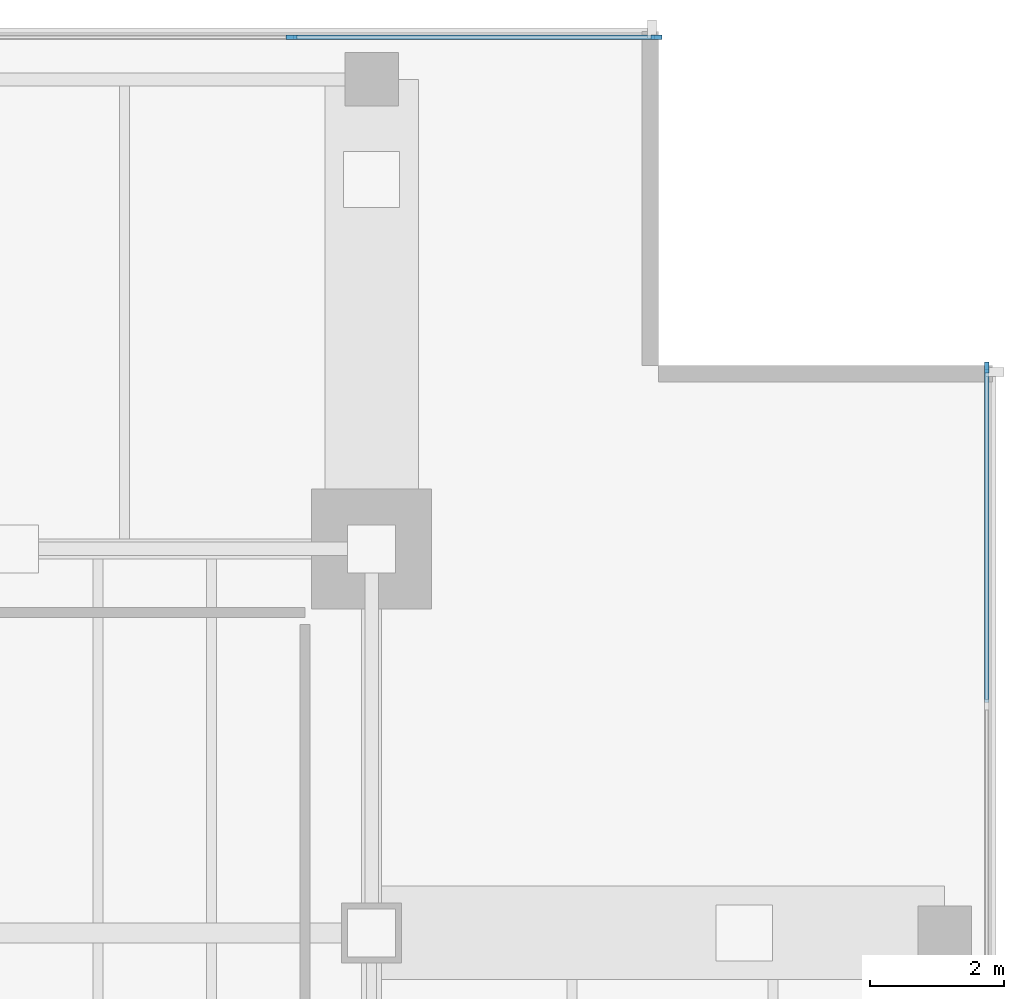
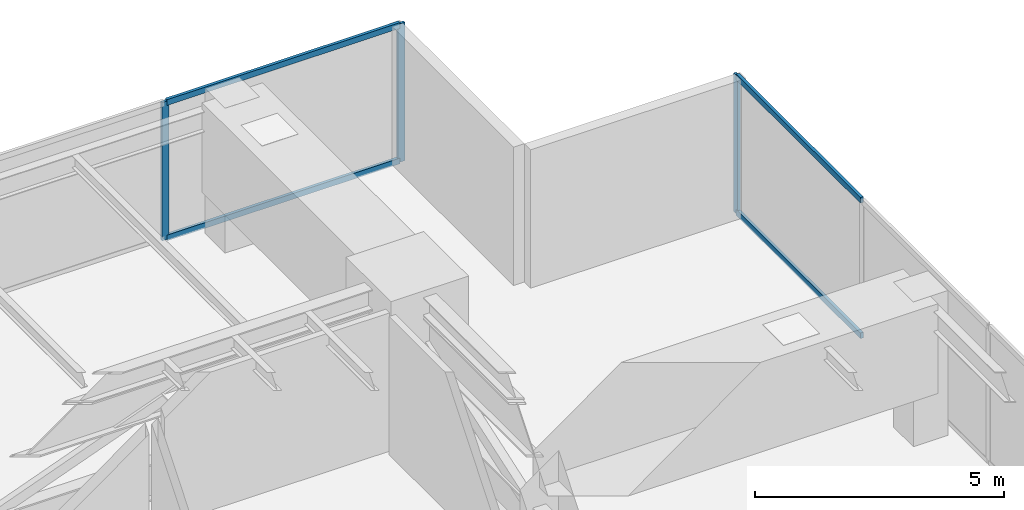
# One storey, part 6 of 13: 7 members, 2 elements without a shape of their own.
"""IFC4 building model written with IfcOpenShell, lengths in metres."""

from ifc_helpers import new_model, si_unit, direction, frame, origin, origin_2d, place, context, subcontext, project, spatial, rectangle, extrude, material, layer, layer_set, material_profile, profile_set, type_object, element, aggregate, save


model = new_model("IFC4")

# Units and contexts
model_context = context("Model", 3, precision=1e-05, world=origin(), true_north=direction((0.0, 1.0)))
body_context = subcontext(model_context, "Body", "Model", "MODEL_VIEW")
ifc_project = project(units=[si_unit("LENGTHUNIT", "METRE"), si_unit("AREAUNIT", "SQUARE_METRE"), si_unit("VOLUMEUNIT", "CUBIC_METRE"), si_unit("PLANEANGLEUNIT", "RADIAN"), si_unit("MASSUNIT", "GRAM", prefix="KILO")], contexts=[model_context])

# Site, building, storey
site_placement = place(None, origin())
site = spatial("IfcSite", under=ifc_project, at=site_placement, CompositionType="ELEMENT")
building_placement = place(site_placement, origin())
building = spatial("IfcBuilding", under=site, at=building_placement, Name="Kinhvarn Gate Tower", CompositionType="ELEMENT")
storey_placement = place(building_placement, frame((0.0, 0.0, 241.300048828125)))
storey = spatial("IfcBuildingStorey", under=building, at=storey_placement, Name="L64", CompositionType="ELEMENT", Elevation=241.300048828125)

# Curtain wall, members
ifc_material = material(Name="Anodised aluminium AW-6063", Category="aluminium")
ifc_layer = layer(ifc_material, 0.179931640625)
ifc_layer_set = layer_set([ifc_layer], Name="Anodised aluminium AW-6063")
curtain_wall_type = type_object("IfcCurtainWallType", Name="CW-SYS-3", PredefinedType="NOTDEFINED", material=ifc_layer_set)
curtain_wall_1_placement = place(storey_placement, origin())
curtain_wall_1 = element("IfcCurtainWall", 1, at=curtain_wall_1_placement, inside=storey, type_object=curtain_wall_type, Name="Curtain Wall CW3 (L64)", PredefinedType="NOTDEFINED")
ifc_material_profile_1 = material_profile(ifc_material, rectangle(XDim=0.06494140625, YDim=0.159912109375, at=origin_2d()), Name="ALU 65x160")
ifc_profile_set_1 = profile_set([ifc_material_profile_1], Name="Anodised aluminium AW-6063")
member_type_1 = type_object("IfcMemberType", Name="CW-MUL-160", PredefinedType="MULLION", material=ifc_profile_set_1)
member_1_placement = place(storey_placement, frame((42.467529296875, 45.409912109375, 0.0), z_axis=(0.0, 0.0, 1.0), x_axis=(0.0, -1.0, 0.0)))
member_1 = element("IfcMember", 2, at=member_1_placement, type_object=member_type_1, Name="CW3 mullion 1", PredefinedType="MULLION", context=body_context, shape_type="SweptSolid", body=[
    extrude(rectangle(XDim=0.06494140625, YDim=0.159912109375, at=origin_2d()), origin(), (0.0, 0.0, 1.0), 3.389892578125),
])
member_2_placement = place(storey_placement, frame((37.0, 45.409912109375, 0.0), z_axis=(0.0, 0.0, 1.0), x_axis=(0.0, -1.0, 0.0)))
member_2 = element("IfcMember", 3, at=member_2_placement, type_object=member_type_1, Name="CW3 mullion 2", PredefinedType="MULLION", context=body_context, shape_type="SweptSolid", body=[
    extrude(rectangle(XDim=0.06494140625, YDim=0.159912109375, at=origin_2d()), origin(), (0.0, 0.0, 1.0), 3.389892578125),
])

# Curtain wall, member
curtain_wall_2_placement = place(storey_placement, origin())
curtain_wall_2 = element("IfcCurtainWall", 4, at=curtain_wall_2_placement, inside=storey, type_object=curtain_wall_type, Name="Curtain Wall CW3 (L64)", PredefinedType="NOTDEFINED")
member_3_placement = place(storey_placement, frame((47.409912109375, 40.467529296875, 0.0), z_axis=(0.0, 0.0, 1.0), x_axis=(-1.0, 0.0, 0.0)))
member_3 = element("IfcMember", 5, at=member_3_placement, type_object=member_type_1, Name="CW3 mullion 7", PredefinedType="MULLION", context=body_context, shape_type="SweptSolid", body=[
    extrude(rectangle(XDim=0.06494140625, YDim=0.159912109375, at=origin_2d()), origin(), (0.0, 0.0, 1.0), 3.389892578125),
])

# Member
ifc_material_profile_2 = material_profile(ifc_material, rectangle(XDim=0.070068359375, YDim=0.139892578125, at=origin_2d()), Name="ALU 70x140")
ifc_profile_set_2 = profile_set([ifc_material_profile_2], Name="Anodised aluminium AW-6063")
member_type_2 = type_object("IfcMemberType", Name="CW-TRN-140", PredefinedType="USERDEFINED", material=ifc_profile_set_2)
member_4_placement = place(storey_placement, frame((42.43505859375, 45.409912109375, 0.034912109375), z_axis=(-1.0, 0.0, 0.0), x_axis=(0.0, -1.0, 0.0)))
member_4 = element("IfcMember", 6, at=member_4_placement, type_object=member_type_2, Name="CW3 transom 1.1", ObjectType="TRANSOM", PredefinedType="USERDEFINED", context=body_context, shape_type="SweptSolid", body=[
    extrude(rectangle(XDim=0.070068359375, YDim=0.139892578125, at=origin_2d()), origin(), (0.0, 0.0, 1.0), 5.402587890625),
])

member_5_placement = place(storey_placement, frame((42.43505859375, 45.409912109375, 3.35498046875), z_axis=(-1.0, 0.0, 0.0), x_axis=(0.0, -1.0, 0.0)))
member_5 = element("IfcMember", 7, at=member_5_placement, type_object=member_type_2, Name="CW3 transom 1.2", ObjectType="TRANSOM", PredefinedType="USERDEFINED", context=body_context, shape_type="SweptSolid", body=[
    extrude(rectangle(XDim=0.070068359375, YDim=0.139892578125, at=origin_2d()), origin(), (0.0, 0.0, 1.0), 5.402587890625),
])

aggregate(curtain_wall_1, [member_1, member_2, member_4, member_5])

member_6_placement = place(storey_placement, frame((47.409912109375, 35.44921875, 0.034912109375), z_axis=(0.0, 1.0, 0.0), x_axis=(-1.0, 0.0, 0.0)))
member_6 = element("IfcMember", 8, at=member_6_placement, type_object=member_type_2, Name="CW3 transom 6.1", ObjectType="TRANSOM", PredefinedType="USERDEFINED", context=body_context, shape_type="SweptSolid", body=[
    extrude(rectangle(XDim=0.070068359375, YDim=0.139892578125, at=origin_2d()), origin(), (0.0, 0.0, 1.0), 4.98583984375),
])

member_7_placement = place(storey_placement, frame((47.409912109375, 35.44921875, 3.35498046875), z_axis=(0.0, 1.0, 0.0), x_axis=(-1.0, 0.0, 0.0)))
member_7 = element("IfcMember", 9, at=member_7_placement, type_object=member_type_2, Name="CW3 transom 6.2", ObjectType="TRANSOM", PredefinedType="USERDEFINED", context=body_context, shape_type="SweptSolid", body=[
    extrude(rectangle(XDim=0.070068359375, YDim=0.139892578125, at=origin_2d()), origin(), (0.0, 0.0, 1.0), 4.98583984375),
])

aggregate(curtain_wall_2, [member_3, member_6, member_7])

save(model, "model.ifc")
